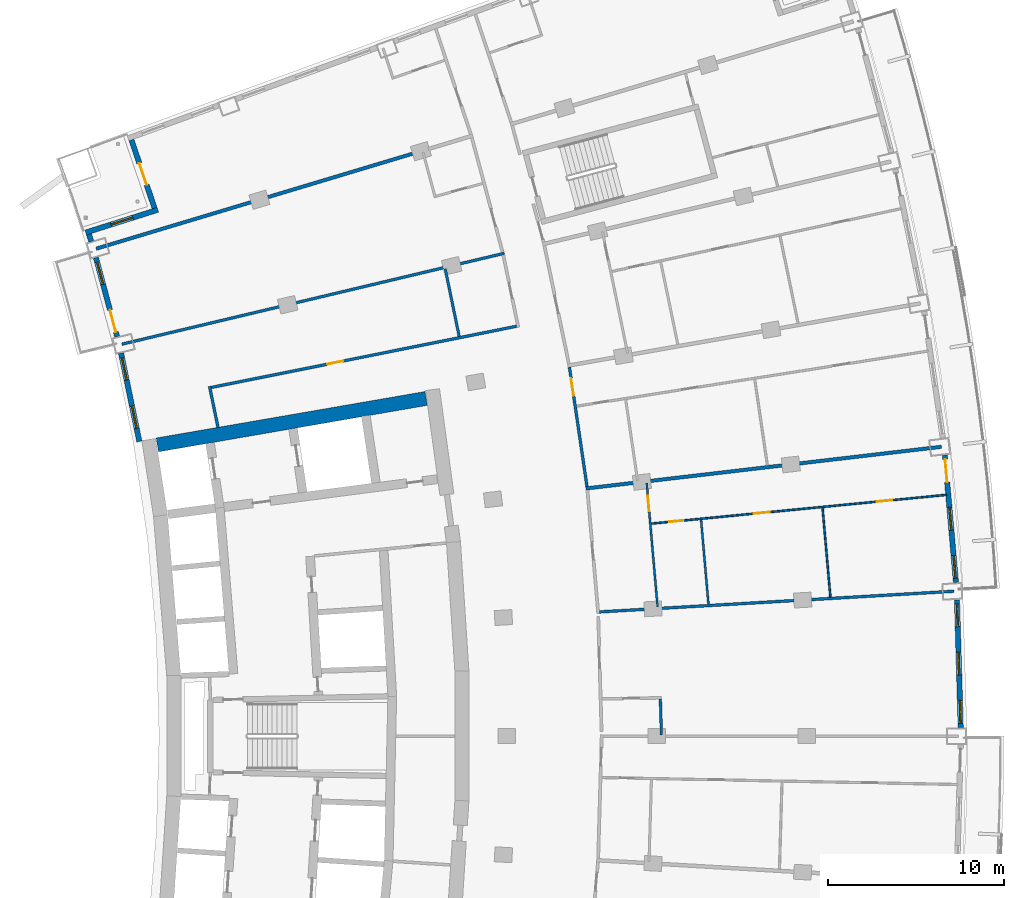
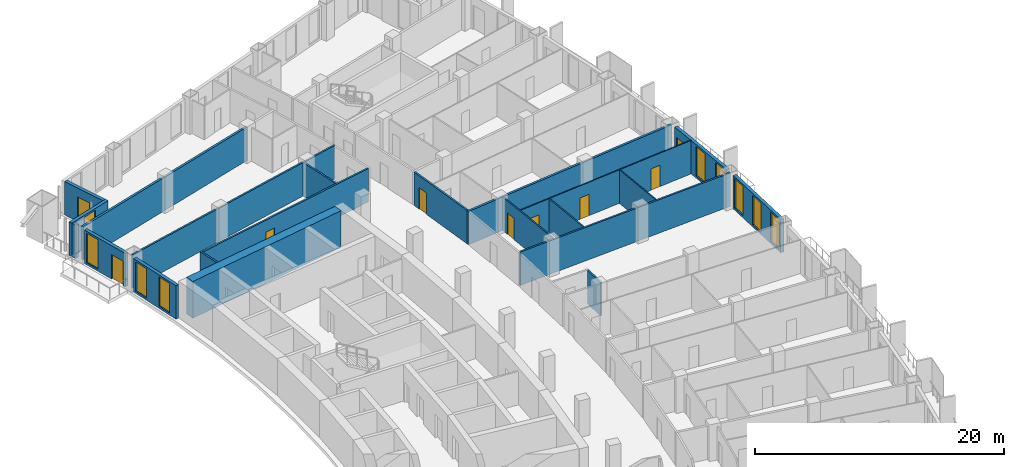
# One storey, part 18 of 24: 21 walls, 9 doors, 9 windows, 18 openings.
"""IFC4 building model written with IfcOpenShell, lengths in metres."""

from ifc_helpers import new_model, si_unit, direction, frame, frame_2d, origin, place, context, subcontext, project, spatial, rectangle, extrude, material, layer, layer_set, type_object, element, fill, save


model = new_model("IFC4")

# Units and contexts
model_context = context("Model", 3, precision=1e-05, world=origin(), true_north=direction((0.0, 1.0)))
body_context = subcontext(model_context, "Body", "Model", "MODEL_VIEW")
ifc_project = project(units=[si_unit("LENGTHUNIT", "METRE"), si_unit("AREAUNIT", "SQUARE_METRE"), si_unit("VOLUMEUNIT", "CUBIC_METRE"), si_unit("PLANEANGLEUNIT", "RADIAN"), si_unit("MASSUNIT", "GRAM", prefix="KILO")], contexts=[model_context])

# Site, building, storey
site_placement = place(None, origin())
site = spatial("IfcSite", under=ifc_project, at=site_placement, CompositionType="ELEMENT")
building_placement = place(site_placement, origin())
building = spatial("IfcBuilding", under=site, at=building_placement, Name="Alderwake Tower", CompositionType="ELEMENT")
storey_placement = place(building_placement, frame((0.0, 0.0, 96.800048828125)))
storey = spatial("IfcBuildingStorey", under=building, at=storey_placement, Name="L23", CompositionType="ELEMENT", Elevation=96.800048828125)

# Walls
ifc_material_1 = material(Name="Concrete C70/85", Category="concrete")
ifc_layer_1 = layer(ifc_material_1, 0.800048828125)
ifc_layer_set_1 = layer_set([ifc_layer_1], Name="Core wall outer 800 C70-85")
wall_type_1 = type_object("IfcWallType", Name="Core wall outer 800 C70-85", PredefinedType="SHEAR", material=ifc_layer_set_1)
wall_1_placement = place(storey_placement, frame((15.900146484375, 77.577880859375, 0.0), z_axis=(0.0, 0.0, 1.0), x_axis=(0.985386601125, 0.170332751763, 0.0)))
element("IfcWall", 1, at=wall_1_placement, inside=storey, type_object=wall_type_1, Name="Core wall CW.054", PredefinedType="SHEAR", context=body_context, shape_type="SweptSolid", body=[
    extrude(rectangle(XDim=15.531494140625, YDim=0.800048828125, at=frame_2d((7.765625, 0.0))), origin(), (0.0, 0.0, 1.0), 3.599853515625),
])
ifc_material_2 = material(Name="Gypsum board on metal studs, rated")
ifc_layer_2 = layer(ifc_material_2, 0.159912109375)
ifc_layer_set_2 = layer_set([ifc_layer_2], Name="Corridor wall 160")
wall_type_2 = type_object("IfcWallType", Name="Corridor wall 160", PredefinedType="PARTITIONING", material=ifc_layer_set_2)
wall_2_placement = place(storey_placement, frame((13.884033203125, 83.31298828125, 0.0), z_axis=(0.0, 0.0, 1.0), x_axis=(0.972893462073, 0.231253781493, 0.0)))
element("IfcWall", 2, at=wall_2_placement, inside=storey, type_object=wall_type_2, Name="WL/L23/W19", PredefinedType="PARTITIONING", context=body_context, shape_type="SweptSolid", body=[
    extrude(rectangle(XDim=22.38037109375, YDim=0.159912109375, at=frame_2d((11.190185546875, 0.0))), origin(), (0.0, 0.0, 1.0), 3.280029296875),
])
wall_3_placement = place(storey_placement, frame((18.874755859375, 80.910400390625, 0.0), z_axis=(0.0, 0.0, 1.0), x_axis=(0.202312089075, -0.979321100873, 0.0)))
element("IfcWall", 3, at=wall_3_placement, inside=storey, type_object=wall_type_2, Name="WL/L23/W21", PredefinedType="PARTITIONING", context=body_context, shape_type="SweptSolid", body=[
    extrude(rectangle(XDim=2.39306640625, YDim=0.159912109375, at=frame_2d((1.196533203125, 0.0))), origin(), (0.0, 0.0, 1.0), 3.280029296875),
])

# Wall, opening, door
wall_4_placement = place(storey_placement, frame((18.969482421875, 80.84765625, 0.0), z_axis=(0.0, 0.0, 1.0), x_axis=(0.980470914622, 0.196664144112, 0.0)))
wall_4 = element("IfcWall", 4, at=wall_4_placement, inside=storey, type_object=wall_type_2, Name="WL/L23/W32", PredefinedType="PARTITIONING", context=body_context, shape_type="SweptSolid", body=[
    extrude(rectangle(XDim=17.733642578125, YDim=0.159912109375, at=frame_2d((8.86669921875, 0.0))), origin(), (0.0, 0.0, 1.0), 3.280029296875),
])
opening_1_placement = place(wall_4_placement, frame((6.756591796875, 0.0, 0.0)))
opening_1 = element("IfcOpeningElement", 5, at=opening_1_placement, cuts=wall_4, Name="Opening R06-SBN1", PredefinedType="OPENING", context=body_context, shape_type="SweptSolid", body=[
    extrude(rectangle(XDim=0.89990234375, YDim=2.10009765625, at=frame_2d((0.449951171875, 1.050048828125))), frame((0.0, 0.08984375, 0.0), z_axis=(0.0, -1.0, 0.0), x_axis=(1.0, 0.0, 0.0)), (0.0, 0.0, 1.0), 0.179931640625),
])
ifc_material_3 = material(Name="Painted timber leaf", Category="wood")
door_type_1 = type_object("IfcDoorType", Name="Room door 900", OperationType="SINGLE_SWING_LEFT", PredefinedType="DOOR", material=ifc_material_3)
door_1_placement = place(opening_1_placement, origin())
door_1 = element("IfcDoor", 6, at=door_1_placement, inside=storey, type_object=door_type_1, Name="DR/L23/SBN1", OperationType="SINGLE_SWING_LEFT", OverallHeight=2.10009765625, OverallWidth=0.89990234375, PredefinedType="DOOR", context=body_context, shape_type="SweptSolid", body=[
    extrude(rectangle(XDim=0.89990234375, YDim=2.10009765625, at=frame_2d((0.449951171875, 1.050048828125))), frame((0.0, 0.02490234375, 0.0), z_axis=(0.0, -1.0, 0.0), x_axis=(1.0, 0.0, 0.0)), (0.0, 0.0, 1.0), 0.050048828125),
])
fill(opening_1, door_1)

wall_5_placement = place(storey_placement, frame((39.362548828125, 82.001953125, 0.0), z_axis=(0.0, 0.0, 1.0), x_axis=(0.145565626222, -0.98934859805, 0.0)))
wall_5 = element("IfcWall", 7, at=wall_5_placement, inside=storey, type_object=wall_type_2, Name="WL/L23/W39", PredefinedType="PARTITIONING", context=body_context, shape_type="SweptSolid", body=[
    extrude(rectangle(XDim=6.8681640625, YDim=0.159912109375, at=frame_2d((3.43408203125, 0.0))), origin(), (0.0, 0.0, 1.0), 3.280029296875),
])
opening_2_placement = place(wall_5_placement, frame((0.627685546875, 0.0, 0.0)))
opening_2 = element("IfcOpeningElement", 8, at=opening_2_placement, cuts=wall_5, Name="Opening R06-U10.2", PredefinedType="OPENING", context=body_context, shape_type="SweptSolid", body=[
    extrude(rectangle(XDim=1.0, YDim=2.10009765625, at=frame_2d((0.5, 1.050048828125))), frame((0.0, 0.08984375, 0.0), z_axis=(0.0, -1.0, 0.0), x_axis=(1.0, 0.0, 0.0)), (0.0, 0.0, 1.0), 0.179931640625),
])
ifc_material_4 = material(Name="Solid timber leaf in steel frame", Category="steel")
door_type_2 = type_object("IfcDoorType", Name="Flat entrance door 1000 fire-rated", OperationType="SINGLE_SWING_LEFT", PredefinedType="DOOR", material=ifc_material_4)
door_2_placement = place(opening_2_placement, origin())
door_2 = element("IfcDoor", 9, at=door_2_placement, inside=storey, type_object=door_type_2, Name="DR/L23/U10.2", OperationType="SINGLE_SWING_LEFT", OverallHeight=2.10009765625, OverallWidth=1.0, PredefinedType="DOOR", context=body_context, shape_type="SweptSolid", body=[
    extrude(rectangle(XDim=1.0, YDim=2.10009765625, at=frame_2d((0.5, 1.050048828125))), frame((0.0, 0.02490234375, 0.0), z_axis=(0.0, -1.0, 0.0), x_axis=(1.0, 0.0, 0.0)), (0.0, 0.0, 1.0), 0.050048828125),
])
fill(opening_2, door_2)

# Wall
wall_6_placement = place(storey_placement, frame((61.260009765625, 69.2490234375, 0.0), z_axis=(0.0, 0.0, 1.0), x_axis=(-0.998303560932, -0.058223708493, 0.0)))
element("IfcWall", 10, at=wall_6_placement, inside=storey, type_object=wall_type_2, Name="WL/L23/W44", PredefinedType="PARTITIONING", context=body_context, shape_type="SweptSolid", body=[
    extrude(rectangle(XDim=20.21923828125, YDim=0.159912109375, at=frame_2d((10.109619140625, 0.0))), origin(), (0.0, 0.0, 1.0), 3.280029296875),
])

# Wall, openings, windows
ifc_material_5 = material(Name="Precast concrete C50/60 spandrel panel", Category="concrete")
ifc_layer_3 = layer(ifc_material_5, 0.300048828125)
ifc_layer_set_3 = layer_set([ifc_layer_3], Name="External wall EW1 Precast concrete C50/60 spandrel")
wall_type_3 = type_object("IfcWallType", Name="External wall EW1 Precast concrete C50/60 spandrel", PredefinedType="SOLIDWALL", material=ifc_layer_set_3)
wall_7_placement = place(storey_placement, frame((61.635498046875, 61.49853515625, 0.0), z_axis=(0.0, 0.0, 1.0), x_axis=(-0.029172877937, 0.999574381021, 0.0)))
wall_7 = element("IfcWall", 11, at=wall_7_placement, inside=storey, type_object=wall_type_3, Name="External wall 17", PredefinedType="SOLIDWALL", context=body_context, shape_type="SweptSolid", body=[
    extrude(rectangle(XDim=7.26416015625, YDim=0.300048828125, at=frame_2d((3.632080078125, 0.0))), origin(), (0.0, 0.0, 1.0), 3.280029296875),
])
opening_3_placement = place(wall_7_placement, frame((0.23291015625, 0.0, 0.199951171875)))
opening_3 = element("IfcOpeningElement", 12, at=opening_3_placement, cuts=wall_7, Name="Opening W1", PredefinedType="OPENING", context=body_context, shape_type="SweptSolid", body=[
    extrude(rectangle(XDim=1.300048828125, YDim=2.89990234375, at=frame_2d((0.64990234375, 1.449951171875))), frame((0.0, 0.159912109375, 0.0), z_axis=(0.0, -1.0, 0.0), x_axis=(1.0, 0.0, 0.0)), (0.0, 0.0, 1.0), 0.320068359375),
])
opening_4_placement = place(wall_7_placement, frame((2.98193359375, 0.0, 0.199951171875)))
opening_4 = element("IfcOpeningElement", 13, at=opening_4_placement, cuts=wall_7, Name="Opening W1", PredefinedType="OPENING", context=body_context, shape_type="SweptSolid", body=[
    extrude(rectangle(XDim=1.300048828125, YDim=2.89990234375, at=frame_2d((0.64990234375, 1.449951171875))), frame((0.0, 0.159912109375, 0.0), z_axis=(0.0, -1.0, 0.0), x_axis=(1.0, 0.0, 0.0)), (0.0, 0.0, 1.0), 0.320068359375),
])
opening_5_placement = place(wall_7_placement, frame((5.731201171875, 0.0, 0.199951171875)))
opening_5 = element("IfcOpeningElement", 14, at=opening_5_placement, cuts=wall_7, Name="Opening W1", PredefinedType="OPENING", context=body_context, shape_type="SweptSolid", body=[
    extrude(rectangle(XDim=1.300048828125, YDim=2.89990234375, at=frame_2d((0.64990234375, 1.449951171875))), frame((0.0, 0.159912109375, 0.0), z_axis=(0.0, -1.0, 0.0), x_axis=(1.0, 0.0, 0.0)), (0.0, 0.0, 1.0), 0.320068359375),
])
ifc_material_6 = material(Name="Bronze tinted glass in aluminium frame", Category="aluminium")
window_type = type_object("IfcWindowType", Name="Window W1 tall fixed and vent", PartitioningType="DOUBLE_PANEL_VERTICAL", PredefinedType="WINDOW", material=ifc_material_6)
window_1_placement = place(opening_3_placement, origin())
window_1 = element("IfcWindow", 15, at=window_1_placement, inside=storey, type_object=window_type, Name="Window W1 tall fixed and vent", OverallHeight=2.89990234375, OverallWidth=1.300048828125, PartitioningType="DOUBLE_PANEL_VERTICAL", PredefinedType="WINDOW", context=body_context, shape_type="SweptSolid", body=[
    extrude(rectangle(XDim=1.300048828125, YDim=2.89990234375, at=frame_2d((0.64990234375, 1.449951171875))), frame((0.0, 0.030029296875, 0.0), z_axis=(0.0, -1.0, 0.0), x_axis=(1.0, 0.0, 0.0)), (0.0, 0.0, 1.0), 0.06005859375),
])
fill(opening_3, window_1)
window_2_placement = place(opening_4_placement, origin())
window_2 = element("IfcWindow", 16, at=window_2_placement, inside=storey, type_object=window_type, Name="Window W1 tall fixed and vent", OverallHeight=2.89990234375, OverallWidth=1.300048828125, PartitioningType="DOUBLE_PANEL_VERTICAL", PredefinedType="WINDOW", context=body_context, shape_type="SweptSolid", body=[
    extrude(rectangle(XDim=1.300048828125, YDim=2.89990234375, at=frame_2d((0.64990234375, 1.449951171875))), frame((0.0, 0.030029296875, 0.0), z_axis=(0.0, -1.0, 0.0), x_axis=(1.0, 0.0, 0.0)), (0.0, 0.0, 1.0), 0.06005859375),
])
fill(opening_4, window_2)
window_3_placement = place(opening_5_placement, origin())
window_3 = element("IfcWindow", 17, at=window_3_placement, inside=storey, type_object=window_type, Name="Window W1 tall fixed and vent", OverallHeight=2.89990234375, OverallWidth=1.300048828125, PartitioningType="DOUBLE_PANEL_VERTICAL", PredefinedType="WINDOW", context=body_context, shape_type="SweptSolid", body=[
    extrude(rectangle(XDim=1.300048828125, YDim=2.89990234375, at=frame_2d((0.64990234375, 1.449951171875))), frame((0.0, 0.030029296875, 0.0), z_axis=(0.0, -1.0, 0.0), x_axis=(1.0, 0.0, 0.0)), (0.0, 0.0, 1.0), 0.06005859375),
])
fill(opening_5, window_3)

# Wall, openings, door, windows
wall_8_placement = place(storey_placement, frame((61.365478515625, 69.755126953125, 0.0), z_axis=(0.0, 0.0, 1.0), x_axis=(-0.087383747715, 0.996174723949, 0.0)))
wall_8 = element("IfcWall", 18, at=wall_8_placement, inside=storey, type_object=wall_type_3, Name="External wall 18", PredefinedType="SOLIDWALL", context=body_context, shape_type="SweptSolid", body=[
    extrude(rectangle(XDim=7.26416015625, YDim=0.300048828125, at=frame_2d((3.632080078125, 0.0))), origin(), (0.0, 0.0, 1.0), 3.280029296875),
])
opening_6_placement = place(wall_8_placement, frame((0.23291015625, 0.0, 0.199951171875)))
opening_6 = element("IfcOpeningElement", 19, at=opening_6_placement, cuts=wall_8, Name="Opening W1", PredefinedType="OPENING", context=body_context, shape_type="SweptSolid", body=[
    extrude(rectangle(XDim=1.300048828125, YDim=2.89990234375, at=frame_2d((0.64990234375, 1.449951171875))), frame((0.0, 0.159912109375, 0.0), z_axis=(0.0, -1.0, 0.0), x_axis=(1.0, 0.0, 0.0)), (0.0, 0.0, 1.0), 0.320068359375),
])
opening_7_placement = place(wall_8_placement, frame((2.98193359375, 0.0, 0.199951171875)))
opening_7 = element("IfcOpeningElement", 20, at=opening_7_placement, cuts=wall_8, Name="Opening W1", PredefinedType="OPENING", context=body_context, shape_type="SweptSolid", body=[
    extrude(rectangle(XDim=1.300048828125, YDim=2.89990234375, at=frame_2d((0.64990234375, 1.449951171875))), frame((0.0, 0.159912109375, 0.0), z_axis=(0.0, -1.0, 0.0), x_axis=(1.0, 0.0, 0.0)), (0.0, 0.0, 1.0), 0.320068359375),
])
opening_8_placement = place(wall_8_placement, frame((5.731201171875, 0.0, 0.0)))
opening_8 = element("IfcOpeningElement", 21, at=opening_8_placement, cuts=wall_8, Name="Opening D08", PredefinedType="OPENING", context=body_context, shape_type="SweptSolid", body=[
    extrude(rectangle(XDim=1.300048828125, YDim=2.39990234375, at=frame_2d((0.64990234375, 1.199951171875))), frame((0.0, 0.159912109375, 0.0), z_axis=(0.0, -1.0, 0.0), x_axis=(1.0, 0.0, 0.0)), (0.0, 0.0, 1.0), 0.320068359375),
])
ifc_material_7 = material(Name="Bronze tinted glass in aluminium frame", Category="aluminium")
door_type_3 = type_object("IfcDoorType", Name="Balcony door BD sliding", OperationType="SLIDING_TO_LEFT", PredefinedType="DOOR", material=ifc_material_7)
door_3_placement = place(opening_8_placement, origin())
door_3 = element("IfcDoor", 22, at=door_3_placement, inside=storey, type_object=door_type_3, Name="Door D08", OperationType="SLIDING_TO_LEFT", OverallHeight=2.39990234375, OverallWidth=1.300048828125, PredefinedType="DOOR", context=body_context, shape_type="SweptSolid", body=[
    extrude(rectangle(XDim=1.300048828125, YDim=2.39990234375, at=frame_2d((0.64990234375, 1.199951171875))), frame((0.0, 0.02490234375, 0.0), z_axis=(0.0, -1.0, 0.0), x_axis=(1.0, 0.0, 0.0)), (0.0, 0.0, 1.0), 0.050048828125),
])
fill(opening_8, door_3)
window_4_placement = place(opening_6_placement, origin())
window_4 = element("IfcWindow", 23, at=window_4_placement, inside=storey, type_object=window_type, Name="Window W1 tall fixed and vent", OverallHeight=2.89990234375, OverallWidth=1.300048828125, PartitioningType="DOUBLE_PANEL_VERTICAL", PredefinedType="WINDOW", context=body_context, shape_type="SweptSolid", body=[
    extrude(rectangle(XDim=1.300048828125, YDim=2.89990234375, at=frame_2d((0.64990234375, 1.449951171875))), frame((0.0, 0.030029296875, 0.0), z_axis=(0.0, -1.0, 0.0), x_axis=(1.0, 0.0, 0.0)), (0.0, 0.0, 1.0), 0.06005859375),
])
fill(opening_6, window_4)
window_5_placement = place(opening_7_placement, origin())
window_5 = element("IfcWindow", 24, at=window_5_placement, inside=storey, type_object=window_type, Name="Window W1 tall fixed and vent", OverallHeight=2.89990234375, OverallWidth=1.300048828125, PartitioningType="DOUBLE_PANEL_VERTICAL", PredefinedType="WINDOW", context=body_context, shape_type="SweptSolid", body=[
    extrude(rectangle(XDim=1.300048828125, YDim=2.89990234375, at=frame_2d((0.64990234375, 1.449951171875))), frame((0.0, 0.030029296875, 0.0), z_axis=(0.0, -1.0, 0.0), x_axis=(1.0, 0.0, 0.0)), (0.0, 0.0, 1.0), 0.06005859375),
])
fill(opening_7, window_5)

# Wall
wall_9_placement = place(storey_placement, frame((12.01416015625, 89.5703125, 0.0), z_axis=(0.0, 0.0, 1.0), x_axis=(0.294567190983, -0.955630770746, 0.0)))
element("IfcWall", 25, at=wall_9_placement, inside=storey, type_object=wall_type_3, Name="External wall 32", PredefinedType="SOLIDWALL", context=body_context, shape_type="SweptSolid", body=[
    extrude(rectangle(XDim=0.427734375, YDim=0.300048828125, at=frame_2d((0.2138671875, 0.0))), origin(), (0.0, 0.0, 1.0), 3.280029296875),
])

# Wall, openings, door, window
wall_10_placement = place(storey_placement, frame((12.406494140625, 88.237548828125, 0.0), z_axis=(0.0, 0.0, 1.0), x_axis=(0.259468933642, -0.965751454814, 0.0)))
wall_10 = element("IfcWall", 26, at=wall_10_placement, inside=storey, type_object=wall_type_3, Name="External wall 33", PredefinedType="SOLIDWALL", context=body_context, shape_type="SweptSolid", body=[
    extrude(rectangle(XDim=4.65087890625, YDim=0.300048828125, at=frame_2d((2.325439453125, 0.0))), origin(), (0.0, 0.0, 1.0), 3.280029296875),
])
opening_9_placement = place(wall_10_placement, frame((0.26708984375, 0.0, 0.199951171875)))
opening_9 = element("IfcOpeningElement", 27, at=opening_9_placement, cuts=wall_10, Name="Opening W1", PredefinedType="OPENING", context=body_context, shape_type="SweptSolid", body=[
    extrude(rectangle(XDim=1.300048828125, YDim=2.89990234375, at=frame_2d((0.64990234375, 1.449951171875))), frame((0.0, 0.159912109375, 0.0), z_axis=(0.0, -1.0, 0.0), x_axis=(1.0, 0.0, 0.0)), (0.0, 0.0, 1.0), 0.320068359375),
])
opening_10_placement = place(wall_10_placement, frame((3.083984375, 0.0, 0.0)))
opening_10 = element("IfcOpeningElement", 28, at=opening_10_placement, cuts=wall_10, Name="Opening D14", PredefinedType="OPENING", context=body_context, shape_type="SweptSolid", body=[
    extrude(rectangle(XDim=1.300048828125, YDim=2.39990234375, at=frame_2d((0.64990234375, 1.199951171875))), frame((0.0, 0.159912109375, 0.0), z_axis=(0.0, -1.0, 0.0), x_axis=(1.0, 0.0, 0.0)), (0.0, 0.0, 1.0), 0.320068359375),
])
door_4_placement = place(opening_10_placement, origin())
door_4 = element("IfcDoor", 29, at=door_4_placement, inside=storey, type_object=door_type_3, Name="Door D14", OperationType="SLIDING_TO_LEFT", OverallHeight=2.39990234375, OverallWidth=1.300048828125, PredefinedType="DOOR", context=body_context, shape_type="SweptSolid", body=[
    extrude(rectangle(XDim=1.300048828125, YDim=2.39990234375, at=frame_2d((0.64990234375, 1.199951171875))), frame((0.0, 0.02490234375, 0.0), z_axis=(0.0, -1.0, 0.0), x_axis=(1.0, 0.0, 0.0)), (0.0, 0.0, 1.0), 0.050048828125),
])
fill(opening_10, door_4)
window_6_placement = place(opening_9_placement, origin())
window_6 = element("IfcWindow", 30, at=window_6_placement, inside=storey, type_object=window_type, Name="Window W1 tall fixed and vent", OverallHeight=2.89990234375, OverallWidth=1.300048828125, PartitioningType="DOUBLE_PANEL_VERTICAL", PredefinedType="WINDOW", context=body_context, shape_type="SweptSolid", body=[
    extrude(rectangle(XDim=1.300048828125, YDim=2.89990234375, at=frame_2d((0.64990234375, 1.449951171875))), frame((0.0, 0.030029296875, 0.0), z_axis=(0.0, -1.0, 0.0), x_axis=(1.0, 0.0, 0.0)), (0.0, 0.0, 1.0), 0.06005859375),
])
fill(opening_9, window_6)

# Wall, openings, windows
wall_11_placement = place(storey_placement, frame((13.83740234375, 82.803955078125, 0.0), z_axis=(0.0, 0.0, 1.0), x_axis=(0.202723539143, -0.979236011734, 0.0)))
wall_11 = element("IfcWall", 31, at=wall_11_placement, inside=storey, type_object=wall_type_3, Name="External wall 34", PredefinedType="SOLIDWALL", context=body_context, shape_type="SweptSolid", body=[
    extrude(rectangle(XDim=5.134033203125, YDim=0.300048828125, at=frame_2d((2.56689453125, 0.0))), origin(), (0.0, 0.0, 1.0), 3.280029296875),
])
opening_11_placement = place(wall_11_placement, frame((0.264892578125, 0.0, 0.199951171875)))
opening_11 = element("IfcOpeningElement", 32, at=opening_11_placement, cuts=wall_11, Name="Opening W1", PredefinedType="OPENING", context=body_context, shape_type="SweptSolid", body=[
    extrude(rectangle(XDim=1.300048828125, YDim=2.89990234375, at=frame_2d((0.64990234375, 1.449951171875))), frame((0.0, 0.159912109375, 0.0), z_axis=(0.0, -1.0, 0.0), x_axis=(1.0, 0.0, 0.0)), (0.0, 0.0, 1.0), 0.320068359375),
])
opening_12_placement = place(wall_11_placement, frame((3.077392578125, 0.0, 0.199951171875)))
opening_12 = element("IfcOpeningElement", 33, at=opening_12_placement, cuts=wall_11, Name="Opening W1", PredefinedType="OPENING", context=body_context, shape_type="SweptSolid", body=[
    extrude(rectangle(XDim=1.300048828125, YDim=2.89990234375, at=frame_2d((0.64990234375, 1.449951171875))), frame((0.0, 0.159912109375, 0.0), z_axis=(0.0, -1.0, 0.0), x_axis=(1.0, 0.0, 0.0)), (0.0, 0.0, 1.0), 0.320068359375),
])
window_7_placement = place(opening_11_placement, origin())
window_7 = element("IfcWindow", 34, at=window_7_placement, inside=storey, type_object=window_type, Name="Window W1 tall fixed and vent", OverallHeight=2.89990234375, OverallWidth=1.300048828125, PartitioningType="DOUBLE_PANEL_VERTICAL", PredefinedType="WINDOW", context=body_context, shape_type="SweptSolid", body=[
    extrude(rectangle(XDim=1.300048828125, YDim=2.89990234375, at=frame_2d((0.64990234375, 1.449951171875))), frame((0.0, 0.030029296875, 0.0), z_axis=(0.0, -1.0, 0.0), x_axis=(1.0, 0.0, 0.0)), (0.0, 0.0, 1.0), 0.06005859375),
])
fill(opening_11, window_7)
window_8_placement = place(opening_12_placement, origin())
window_8 = element("IfcWindow", 35, at=window_8_placement, inside=storey, type_object=window_type, Name="Window W1 tall fixed and vent", OverallHeight=2.89990234375, OverallWidth=1.300048828125, PartitioningType="DOUBLE_PANEL_VERTICAL", PredefinedType="WINDOW", context=body_context, shape_type="SweptSolid", body=[
    extrude(rectangle(XDim=1.300048828125, YDim=2.89990234375, at=frame_2d((0.64990234375, 1.449951171875))), frame((0.0, 0.030029296875, 0.0), z_axis=(0.0, -1.0, 0.0), x_axis=(1.0, 0.0, 0.0)), (0.0, 0.0, 1.0), 0.06005859375),
])
fill(opening_12, window_8)

# Wall, opening, door
ifc_material_8 = material(Name="Bronze metal cladding on lightweight framing")
ifc_layer_4 = layer(ifc_material_8, 0.300048828125)
ifc_layer_set_4 = layer_set([ifc_layer_4], Name="External wall EW2 bronze metal cladding")
wall_type_4 = type_object("IfcWallType", Name="External wall EW2 bronze metal cladding", PredefinedType="SOLIDWALL", material=ifc_layer_set_4)
wall_12_placement = place(storey_placement, frame((14.430908203125, 94.937744140625, 0.0), z_axis=(0.0, 0.0, 1.0), x_axis=(0.320379458656, -0.947289291859, 0.0)))
wall_12 = element("IfcWall", 36, at=wall_12_placement, inside=storey, type_object=wall_type_4, Name="External wall 30", PredefinedType="SOLIDWALL", context=body_context, shape_type="SweptSolid", body=[
    extrude(rectangle(XDim=4.08984375, YDim=0.300048828125, at=frame_2d((2.044921875, 0.0))), origin(), (0.0, 0.0, 1.0), 3.280029296875),
])
opening_13_placement = place(wall_12_placement, frame((1.39501953125, 0.0, 0.0)))
opening_13 = element("IfcOpeningElement", 37, at=opening_13_placement, cuts=wall_12, Name="Opening D13", PredefinedType="OPENING", context=body_context, shape_type="SweptSolid", body=[
    extrude(rectangle(XDim=1.300048828125, YDim=2.39990234375, at=frame_2d((0.64990234375, 1.199951171875))), frame((0.0, 0.159912109375, 0.0), z_axis=(0.0, -1.0, 0.0), x_axis=(1.0, 0.0, 0.0)), (0.0, 0.0, 1.0), 0.320068359375),
])
door_5_placement = place(opening_13_placement, origin())
door_5 = element("IfcDoor", 38, at=door_5_placement, inside=storey, type_object=door_type_3, Name="Door D13", OperationType="SLIDING_TO_LEFT", OverallHeight=2.39990234375, OverallWidth=1.300048828125, PredefinedType="DOOR", context=body_context, shape_type="SweptSolid", body=[
    extrude(rectangle(XDim=1.300048828125, YDim=2.39990234375, at=frame_2d((0.64990234375, 1.199951171875))), frame((0.0, 0.02490234375, 0.0), z_axis=(0.0, -1.0, 0.0), x_axis=(1.0, 0.0, 0.0)), (0.0, 0.0, 1.0), 0.050048828125),
])
fill(opening_13, door_5)

# Wall, opening, window
wall_13_placement = place(storey_placement, frame((15.932373046875, 90.966552734375, 0.0), z_axis=(0.0, 0.0, 1.0), x_axis=(-0.953473772386, -0.301475978103, 0.0)))
wall_13 = element("IfcWall", 39, at=wall_13_placement, inside=storey, type_object=wall_type_4, Name="External wall 31", PredefinedType="SOLIDWALL", context=body_context, shape_type="SweptSolid", body=[
    extrude(rectangle(XDim=4.305908203125, YDim=0.300048828125, at=frame_2d((2.15283203125, 0.0))), origin(), (0.0, 0.0, 1.0), 3.280029296875),
])
opening_14_placement = place(wall_13_placement, frame((1.5029296875, 0.0, 0.199951171875)))
opening_14 = element("IfcOpeningElement", 40, at=opening_14_placement, cuts=wall_13, Name="Opening W1", PredefinedType="OPENING", context=body_context, shape_type="SweptSolid", body=[
    extrude(rectangle(XDim=1.300048828125, YDim=2.89990234375, at=frame_2d((0.64990234375, 1.449951171875))), frame((0.0, 0.159912109375, 0.0), z_axis=(0.0, -1.0, 0.0), x_axis=(1.0, 0.0, 0.0)), (0.0, 0.0, 1.0), 0.320068359375),
])
window_9_placement = place(opening_14_placement, origin())
window_9 = element("IfcWindow", 41, at=window_9_placement, inside=storey, type_object=window_type, Name="Window W1 tall fixed and vent", OverallHeight=2.89990234375, OverallWidth=1.300048828125, PartitioningType="DOUBLE_PANEL_VERTICAL", PredefinedType="WINDOW", context=body_context, shape_type="SweptSolid", body=[
    extrude(rectangle(XDim=1.300048828125, YDim=2.89990234375, at=frame_2d((0.64990234375, 1.449951171875))), frame((0.0, 0.030029296875, 0.0), z_axis=(0.0, -1.0, 0.0), x_axis=(1.0, 0.0, 0.0)), (0.0, 0.0, 1.0), 0.06005859375),
])
fill(opening_14, window_9)

# Walls
ifc_material_9 = material(Name="Dense block masonry wall", Category="masonry")
ifc_layer_5 = layer(ifc_material_9, 0.199951171875)
ifc_layer_set_5 = layer_set([ifc_layer_5], Name="Party wall 200")
wall_type_5 = type_object("IfcWallType", Name="Party wall 200", PredefinedType="SOLIDWALL", material=ifc_layer_set_5)
wall_14_placement = place(storey_placement, frame((30.812744140625, 94.270751953125, 0.0), z_axis=(0.0, 0.0, 1.0), x_axis=(-0.957756965565, -0.287578849904, 0.0)))
element("IfcWall", 42, at=wall_14_placement, inside=storey, type_object=wall_type_5, Name="WL/L23/W01", PredefinedType="SOLIDWALL", context=body_context, shape_type="SweptSolid", body=[
    extrude(rectangle(XDim=19.20068359375, YDim=0.199951171875, at=frame_2d((9.600341796875, 0.0))), origin(), (0.0, 0.0, 1.0), 3.280029296875),
])
wall_15_placement = place(storey_placement, frame((60.537109375, 77.471923828125, 0.0), z_axis=(0.0, 0.0, 1.0), x_axis=(-0.99319510115, -0.11646240188, 0.0)))
element("IfcWall", 43, at=wall_15_placement, inside=storey, type_object=wall_type_5, Name="WL/L23/W12", PredefinedType="SOLIDWALL", context=body_context, shape_type="SweptSolid", body=[
    extrude(rectangle(XDim=20.378173828125, YDim=0.199951171875, at=frame_2d((10.18896484375, 0.0))), origin(), (0.0, 0.0, 1.0), 3.280029296875),
])
ifc_material_10 = material(Name="Gypsum shaft wall system, rated")
ifc_layer_6 = layer(ifc_material_10, 0.14990234375)
ifc_layer_set_6 = layer_set([ifc_layer_6], Name="Riser and shaft wall 150")
wall_type_6 = type_object("IfcWallType", Name="Riser and shaft wall 150", PredefinedType="PARTITIONING", material=ifc_layer_set_6)
wall_16_placement = place(storey_placement, frame((33.085693359375, 83.76025390625, 0.0), z_axis=(0.0, 0.0, 1.0), x_axis=(-0.2025562632, 0.97927062666, 0.0)))
element("IfcWall", 44, at=wall_16_placement, inside=storey, type_object=wall_type_6, Name="WL/L23/W15", PredefinedType="PARTITIONING", context=body_context, shape_type="SweptSolid", body=[
    extrude(rectangle(XDim=3.9267578125, YDim=0.14990234375, at=frame_2d((1.96337890625, 0.0))), origin(), (0.0, 0.0, 1.0), 3.280029296875),
])
wall_17_placement = place(storey_placement, frame((44.5986328125, 61.0791015625, 0.0), z_axis=(0.0, 0.0, 1.0), x_axis=(-0.030234424158, 0.999542835298, 0.0)))
element("IfcWall", 45, at=wall_17_placement, inside=storey, type_object=wall_type_6, Name="WL/L23/W17", PredefinedType="PARTITIONING", context=body_context, shape_type="SweptSolid", body=[
    extrude(rectangle(XDim=2.02685546875, YDim=0.14990234375, at=frame_2d((1.013427734375, 0.0))), origin(), (0.0, 0.0, 1.0), 3.280029296875),
])

# Wall, openings, doors
ifc_material_11 = material(Name="Gypsum board on metal studs")
ifc_layer_7 = layer(ifc_material_11, 0.10009765625)
ifc_layer_set_7 = layer_set([ifc_layer_7], Name="Unit partition 100")
wall_type_7 = type_object("IfcWallType", Name="Unit partition 100", PredefinedType="PARTITIONING", material=ifc_layer_set_7)
wall_18_placement = place(storey_placement, frame((60.827880859375, 74.736083984375, 0.0), z_axis=(0.0, 0.0, 1.0), x_axis=(-0.995281244232, -0.097032184767, 0.0)))
wall_18 = element("IfcWall", 46, at=wall_18_placement, inside=storey, type_object=wall_type_7, Name="WL/L23/W78", PredefinedType="PARTITIONING", context=body_context, shape_type="SweptSolid", body=[
    extrude(rectangle(XDim=16.8828125, YDim=0.10009765625, at=frame_2d((8.44140625, 0.0))), origin(), (0.0, 0.0, 1.0), 3.280029296875),
])
opening_15_placement = place(wall_18_placement, frame((10.11962890625, 0.0, 0.0)))
opening_15 = element("IfcOpeningElement", 47, at=opening_15_placement, cuts=wall_18, Name="Opening R06-U09.1", PredefinedType="OPENING", context=body_context, shape_type="SweptSolid", body=[
    extrude(rectangle(XDim=0.89990234375, YDim=2.10009765625, at=frame_2d((0.449951171875, 1.050048828125))), frame((0.0, 0.06005859375, 0.0), z_axis=(0.0, -1.0, 0.0), x_axis=(1.0, 0.0, 0.0)), (0.0, 0.0, 1.0), 0.1201171875),
])
opening_16_placement = place(wall_18_placement, frame((15.063720703125, 0.0, 0.0)))
opening_16 = element("IfcOpeningElement", 48, at=opening_16_placement, cuts=wall_18, Name="Opening R06-U09.4", PredefinedType="OPENING", context=body_context, shape_type="SweptSolid", body=[
    extrude(rectangle(XDim=0.800048828125, YDim=2.10009765625, at=frame_2d((0.39990234375, 1.050048828125))), frame((0.0, 0.06005859375, 0.0), z_axis=(0.0, -1.0, 0.0), x_axis=(1.0, 0.0, 0.0)), (0.0, 0.0, 1.0), 0.1201171875),
])
opening_17_placement = place(wall_18_placement, frame((3.097412109375, 0.0, 0.0)))
opening_17 = element("IfcOpeningElement", 49, at=opening_17_placement, cuts=wall_18, Name="Opening R06-U09.5", PredefinedType="OPENING", context=body_context, shape_type="SweptSolid", body=[
    extrude(rectangle(XDim=0.89990234375, YDim=2.10009765625, at=frame_2d((0.449951171875, 1.050048828125))), frame((0.0, 0.06005859375, 0.0), z_axis=(0.0, -1.0, 0.0), x_axis=(1.0, 0.0, 0.0)), (0.0, 0.0, 1.0), 0.1201171875),
])
ifc_material_12 = material(Name="Painted timber leaf", Category="wood")
door_type_4 = type_object("IfcDoorType", Name="Bathroom door 800", OperationType="SINGLE_SWING_LEFT", PredefinedType="DOOR", material=ifc_material_12)
door_6_placement = place(opening_16_placement, origin())
door_6 = element("IfcDoor", 50, at=door_6_placement, inside=storey, type_object=door_type_4, Name="DR/L23/U09.4", OperationType="SINGLE_SWING_LEFT", OverallHeight=2.10009765625, OverallWidth=0.800048828125, PredefinedType="DOOR", context=body_context, shape_type="SweptSolid", body=[
    extrude(rectangle(XDim=0.800048828125, YDim=2.10009765625, at=frame_2d((0.39990234375, 1.050048828125))), frame((0.0, 0.02490234375, 0.0), z_axis=(0.0, -1.0, 0.0), x_axis=(1.0, 0.0, 0.0)), (0.0, 0.0, 1.0), 0.050048828125),
])
fill(opening_16, door_6)
door_7_placement = place(opening_15_placement, origin())
door_7 = element("IfcDoor", 51, at=door_7_placement, inside=storey, type_object=door_type_1, Name="DR/L23/U09.1", OperationType="SINGLE_SWING_LEFT", OverallHeight=2.10009765625, OverallWidth=0.89990234375, PredefinedType="DOOR", context=body_context, shape_type="SweptSolid", body=[
    extrude(rectangle(XDim=0.89990234375, YDim=2.10009765625, at=frame_2d((0.449951171875, 1.050048828125))), frame((0.0, 0.02490234375, 0.0), z_axis=(0.0, -1.0, 0.0), x_axis=(1.0, 0.0, 0.0)), (0.0, 0.0, 1.0), 0.050048828125),
])
fill(opening_15, door_7)
door_8_placement = place(opening_17_placement, origin())
door_8 = element("IfcDoor", 52, at=door_8_placement, inside=storey, type_object=door_type_1, Name="DR/L23/U09.5", OperationType="SINGLE_SWING_LEFT", OverallHeight=2.10009765625, OverallWidth=0.89990234375, PredefinedType="DOOR", context=body_context, shape_type="SweptSolid", body=[
    extrude(rectangle(XDim=0.89990234375, YDim=2.10009765625, at=frame_2d((0.449951171875, 1.050048828125))), frame((0.0, 0.02490234375, 0.0), z_axis=(0.0, -1.0, 0.0), x_axis=(1.0, 0.0, 0.0)), (0.0, 0.0, 1.0), 0.050048828125),
])
fill(opening_17, door_8)

# Wall
wall_19_placement = place(storey_placement, frame((54.218017578125, 68.917724609375, 0.0), z_axis=(0.0, 0.0, 1.0), x_axis=(-0.087780602515, 0.996139832464, 0.0)))
element("IfcWall", 53, at=wall_19_placement, inside=storey, type_object=wall_type_7, Name="WL/L23/W89", PredefinedType="PARTITIONING", context=body_context, shape_type="SweptSolid", body=[
    extrude(rectangle(XDim=5.09814453125, YDim=0.10009765625, at=frame_2d((2.549072265625, 0.0))), origin(), (0.0, 0.0, 1.0), 3.280029296875),
])

# Wall, opening, door
ifc_material_13 = material(Name="Moisture resistant gypsum board on metal studs")
ifc_layer_8 = layer(ifc_material_13, 0.1201171875)
ifc_layer_set_8 = layer_set([ifc_layer_8], Name="Wet room partition 120")
wall_type_8 = type_object("IfcWallType", Name="Wet room partition 120", PredefinedType="PARTITIONING", material=ifc_layer_set_8)
wall_20_placement = place(storey_placement, frame((43.7607421875, 75.404296875, 0.0), z_axis=(0.0, 0.0, 1.0), x_axis=(0.087537888568, -0.996161190805, 0.0)))
wall_20 = element("IfcWall", 54, at=wall_20_placement, inside=storey, type_object=wall_type_8, Name="WL/L23/W62", PredefinedType="PARTITIONING", context=body_context, shape_type="SweptSolid", body=[
    extrude(rectangle(XDim=7.086669921875, YDim=0.1201171875, at=frame_2d((3.54345703125, 0.0))), origin(), (0.0, 0.0, 1.0), 3.280029296875),
])
opening_18_placement = place(wall_20_placement, frame((0.71142578125, 0.0, 0.0)))
opening_18 = element("IfcOpeningElement", 55, at=opening_18_placement, cuts=wall_20, Name="Opening R06-U09.3", PredefinedType="OPENING", context=body_context, shape_type="SweptSolid", body=[
    extrude(rectangle(XDim=0.89990234375, YDim=2.10009765625, at=frame_2d((0.449951171875, 1.050048828125))), frame((0.0, 0.070068359375, 0.0), z_axis=(0.0, -1.0, 0.0), x_axis=(1.0, 0.0, 0.0)), (0.0, 0.0, 1.0), 0.14013671875),
])
door_9_placement = place(opening_18_placement, origin())
door_9 = element("IfcDoor", 56, at=door_9_placement, inside=storey, type_object=door_type_1, Name="DR/L23/U09.3", OperationType="SINGLE_SWING_LEFT", OverallHeight=2.10009765625, OverallWidth=0.89990234375, PredefinedType="DOOR", context=body_context, shape_type="SweptSolid", body=[
    extrude(rectangle(XDim=0.89990234375, YDim=2.10009765625, at=frame_2d((0.449951171875, 1.050048828125))), frame((0.0, 0.02490234375, 0.0), z_axis=(0.0, -1.0, 0.0), x_axis=(1.0, 0.0, 0.0)), (0.0, 0.0, 1.0), 0.050048828125),
])
fill(opening_18, door_9)

# Wall
wall_21_placement = place(storey_placement, frame((47.27587890625, 68.5126953125, 0.0), z_axis=(0.0, 0.0, 1.0), x_axis=(-0.087096677779, 0.996199863843, 0.0)))
element("IfcWall", 57, at=wall_21_placement, inside=storey, type_object=wall_type_8, Name="WL/L23/W69", PredefinedType="PARTITIONING", context=body_context, shape_type="SweptSolid", body=[
    extrude(rectangle(XDim=4.826904296875, YDim=0.1201171875, at=frame_2d((2.41357421875, 0.0))), origin(), (0.0, 0.0, 1.0), 3.280029296875),
])

save(model, "model.ifc")
